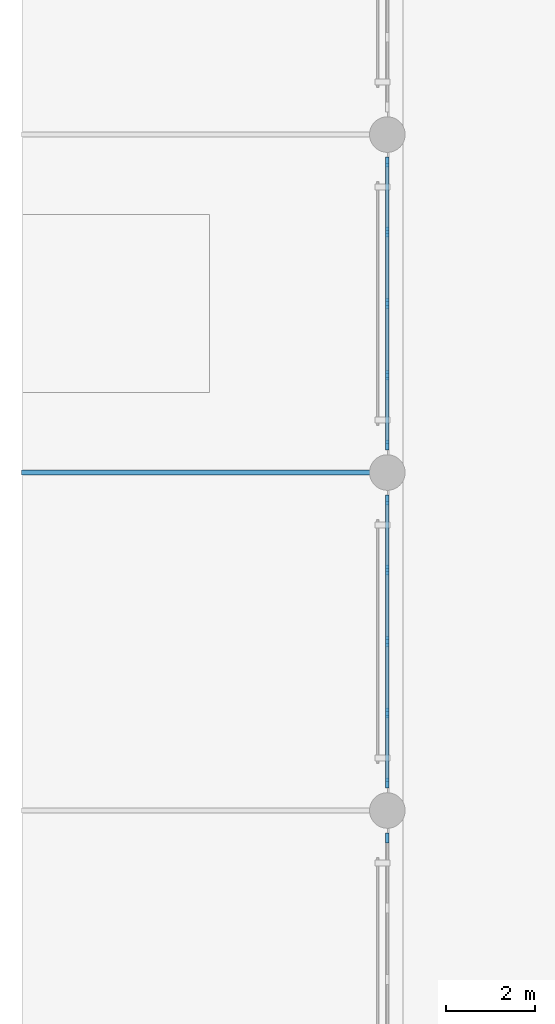
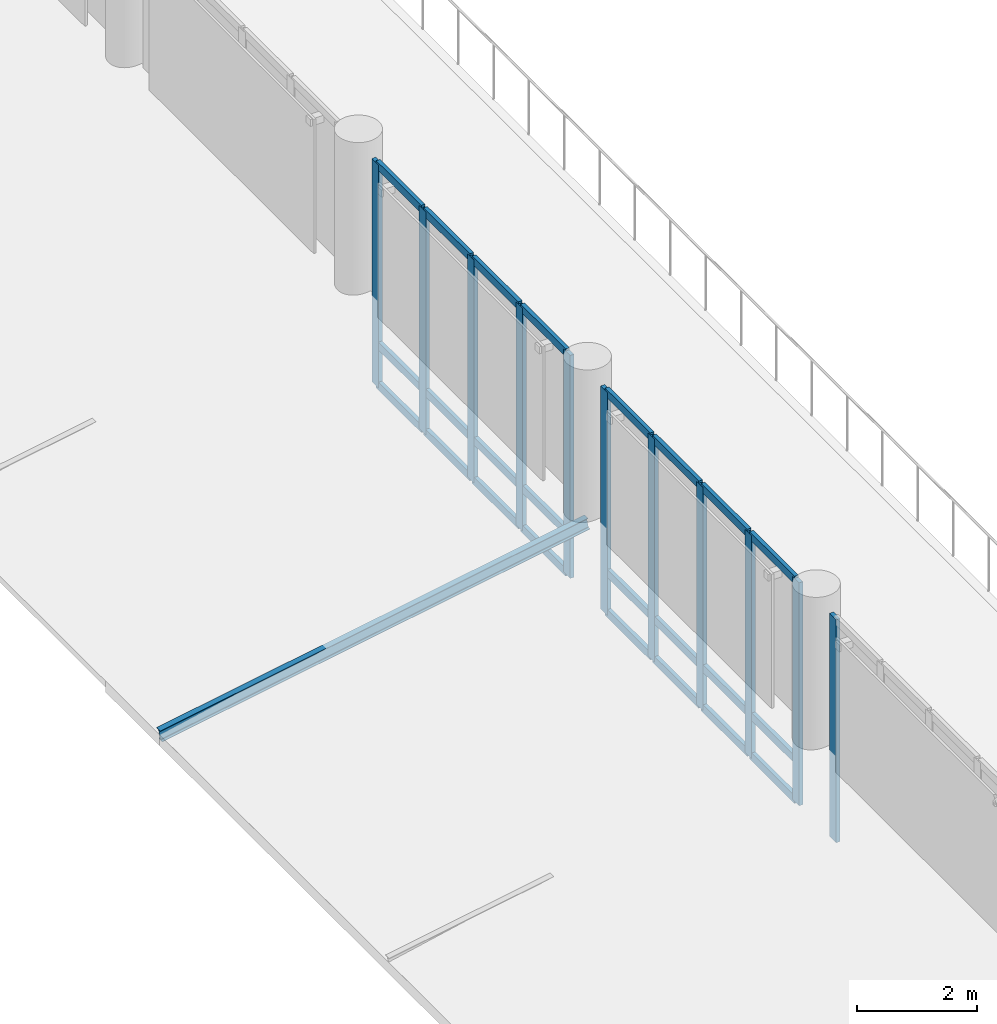
# One storey, part 6 of 57: 36 members, 3 elements without a shape of their own.
"""IFC4 building model written with IfcOpenShell, lengths in metres."""

from ifc_helpers import new_model, si_unit, direction, frame, origin, origin_2d, place, context, subcontext, project, spatial, rectangle, i_section, extrude, material, material_profile, profile_set, type_object, element, aggregate, save


model = new_model("IFC4")

# Units and contexts
model_context = context("Model", 3, precision=1e-05, world=origin(), true_north=direction((0.0, 1.0)))
body_context = subcontext(model_context, "Body", "Model", "MODEL_VIEW")
ifc_project = project(units=[si_unit("LENGTHUNIT", "METRE"), si_unit("AREAUNIT", "SQUARE_METRE"), si_unit("VOLUMEUNIT", "CUBIC_METRE"), si_unit("PLANEANGLEUNIT", "RADIAN"), si_unit("MASSUNIT", "GRAM", prefix="KILO")], contexts=[model_context])

# Site, building, storey
site_placement = place(None, origin())
site = spatial("IfcSite", under=ifc_project, at=site_placement, CompositionType="ELEMENT")
building_placement = place(site_placement, origin())
building = spatial("IfcBuilding", under=site, at=building_placement, Name="Qandaris Square Conservatory and Botanical Centre", CompositionType="ELEMENT")
storey_placement = place(building_placement, frame((0.0, 0.0, 5.39990234375)))
storey = spatial("IfcBuildingStorey", under=building, at=storey_placement, Name="L01", CompositionType="ELEMENT", Elevation=5.39990234375)

# Member
ifc_material_1 = material(Name="Steel S355", Category="steel")
ifc_material_profile_1 = material_profile(ifc_material_1, i_section(OverallWidth=0.1201171875, OverallDepth=0.239990234375, WebThickness=0.006103515625, FlangeThickness=0.009765625, FilletRadius=0.014892578125, at=origin_2d()), Name="IPE 240")
ifc_profile_set_1 = profile_set([ifc_material_profile_1], Name="Steel S355")
member_type_1 = type_object("IfcMemberType", Name="Colonnade Prairie Rafter IPE 240", PredefinedType="RAFTER", material=ifc_profile_set_1)
member_1_placement = place(storey_placement, frame((8.0, 69.800048828125, 0.0), z_axis=(0.984924346364, 0.0, 0.172985640849), x_axis=(0.0, 1.0, 0.0)))
element("IfcMember", 1, at=member_1_placement, inside=storey, type_object=member_type_1, Name="Colonnade West Rafter 048", PredefinedType="RAFTER", context=body_context, shape_type="SweptSolid", body=[
    extrude(i_section(OverallWidth=0.1201171875, OverallDepth=0.239990234375, WebThickness=0.006103515625, FlangeThickness=0.009765625, FilletRadius=0.014892578125, at=origin_2d()), origin(), (0.0, 0.0, 1.0), 8.325439453125),
])

# Curtain wall, members
ifc_material_2 = material(Name="Anodised Aluminium", Category="aluminium")
curtain_wall_type = type_object("IfcCurtainWallType", Name="Unitised Curtain Wall CW-1-644x452", PredefinedType="USERDEFINED", material=ifc_material_2)
curtain_wall_1_placement = place(storey_placement, origin())
curtain_wall_1 = element("IfcCurtainWall", 2, at=curtain_wall_1_placement, inside=storey, type_object=curtain_wall_type, Name="Curtain Wall CW-CON-L01-7-5", ObjectType="GLAZED CURTAIN WALL", PredefinedType="USERDEFINED")
ifc_material_profile_2 = material_profile(ifc_material_2, rectangle(XDim=0.074951171875, YDim=0.219970703125, at=origin_2d()), Name="ALU-MUL 75x220")
ifc_profile_set_2 = profile_set([ifc_material_profile_2], Name="Anodised Aluminium")
member_type_2 = type_object("IfcMemberType", Name="Conservatory Heavy Mullion 75x220", PredefinedType="MULLION", material=ifc_profile_set_2)
member_2_placement = place(storey_placement, frame((16.199951171875, 76.782470703125, 0.0), z_axis=(0.0, 0.0, 1.0), x_axis=(1.0, 0.0, 0.0)))
member_2 = element("IfcMember", 3, at=member_2_placement, type_object=member_type_2, Name="CW-1-644x452 mullion 1", PredefinedType="MULLION", context=body_context, shape_type="SweptSolid", body=[
    extrude(rectangle(XDim=0.074951171875, YDim=0.219970703125, at=origin_2d()), origin(), (0.0, 0.0, 1.0), 4.52001953125),
])
member_3_placement = place(storey_placement, frame((16.199951171875, 75.2099609375, 0.0), z_axis=(0.0, 0.0, 1.0), x_axis=(1.0, 0.0, 0.0)))
member_3 = element("IfcMember", 4, at=member_3_placement, type_object=member_type_2, Name="CW-1-644x452 mullion 2", PredefinedType="MULLION", context=body_context, shape_type="SweptSolid", body=[
    extrude(rectangle(XDim=0.074951171875, YDim=0.219970703125, at=origin_2d()), origin(), (0.0, 0.0, 1.0), 4.52001953125),
])
member_4_placement = place(storey_placement, frame((16.199951171875, 73.60009765625, 0.0), z_axis=(0.0, 0.0, 1.0), x_axis=(1.0, 0.0, 0.0)))
member_4 = element("IfcMember", 5, at=member_4_placement, type_object=member_type_2, Name="CW-1-644x452 mullion 3", PredefinedType="MULLION", context=body_context, shape_type="SweptSolid", body=[
    extrude(rectangle(XDim=0.074951171875, YDim=0.219970703125, at=origin_2d()), origin(), (0.0, 0.0, 1.0), 4.52001953125),
])
member_5_placement = place(storey_placement, frame((16.199951171875, 71.989990234375, 0.0), z_axis=(0.0, 0.0, 1.0), x_axis=(1.0, 0.0, 0.0)))
member_5 = element("IfcMember", 6, at=member_5_placement, type_object=member_type_2, Name="CW-1-644x452 mullion 4", PredefinedType="MULLION", context=body_context, shape_type="SweptSolid", body=[
    extrude(rectangle(XDim=0.074951171875, YDim=0.219970703125, at=origin_2d()), origin(), (0.0, 0.0, 1.0), 4.52001953125),
])
member_6_placement = place(storey_placement, frame((16.199951171875, 70.41748046875, 0.0), z_axis=(0.0, 0.0, 1.0), x_axis=(1.0, 0.0, 0.0)))
member_6 = element("IfcMember", 7, at=member_6_placement, type_object=member_type_2, Name="CW-1-644x452 mullion 5", PredefinedType="MULLION", context=body_context, shape_type="SweptSolid", body=[
    extrude(rectangle(XDim=0.074951171875, YDim=0.219970703125, at=origin_2d()), origin(), (0.0, 0.0, 1.0), 4.52001953125),
])

curtain_wall_2_placement = place(storey_placement, origin())
curtain_wall_2 = element("IfcCurtainWall", 8, at=curtain_wall_2_placement, inside=storey, type_object=curtain_wall_type, Name="Curtain Wall CW-CON-L01-7-6", ObjectType="GLAZED CURTAIN WALL", PredefinedType="USERDEFINED")
member_7_placement = place(storey_placement, frame((16.199951171875, 69.1826171875, 0.0), z_axis=(0.0, 0.0, 1.0), x_axis=(1.0, 0.0, 0.0)))
member_7 = element("IfcMember", 9, at=member_7_placement, type_object=member_type_2, Name="CW-1-644x452 mullion 1", PredefinedType="MULLION", context=body_context, shape_type="SweptSolid", body=[
    extrude(rectangle(XDim=0.074951171875, YDim=0.219970703125, at=origin_2d()), origin(), (0.0, 0.0, 1.0), 4.52001953125),
])
member_8_placement = place(storey_placement, frame((16.199951171875, 67.610107421875, 0.0), z_axis=(0.0, 0.0, 1.0), x_axis=(1.0, 0.0, 0.0)))
member_8 = element("IfcMember", 10, at=member_8_placement, type_object=member_type_2, Name="CW-1-644x452 mullion 2", PredefinedType="MULLION", context=body_context, shape_type="SweptSolid", body=[
    extrude(rectangle(XDim=0.074951171875, YDim=0.219970703125, at=origin_2d()), origin(), (0.0, 0.0, 1.0), 4.52001953125),
])
member_9_placement = place(storey_placement, frame((16.199951171875, 66.0, 0.0), z_axis=(0.0, 0.0, 1.0), x_axis=(1.0, 0.0, 0.0)))
member_9 = element("IfcMember", 11, at=member_9_placement, type_object=member_type_2, Name="CW-1-644x452 mullion 3", PredefinedType="MULLION", context=body_context, shape_type="SweptSolid", body=[
    extrude(rectangle(XDim=0.074951171875, YDim=0.219970703125, at=origin_2d()), origin(), (0.0, 0.0, 1.0), 4.52001953125),
])
member_10_placement = place(storey_placement, frame((16.199951171875, 64.389892578125, 0.0), z_axis=(0.0, 0.0, 1.0), x_axis=(1.0, 0.0, 0.0)))
member_10 = element("IfcMember", 12, at=member_10_placement, type_object=member_type_2, Name="CW-1-644x452 mullion 4", PredefinedType="MULLION", context=body_context, shape_type="SweptSolid", body=[
    extrude(rectangle(XDim=0.074951171875, YDim=0.219970703125, at=origin_2d()), origin(), (0.0, 0.0, 1.0), 4.52001953125),
])
member_11_placement = place(storey_placement, frame((16.199951171875, 62.8173828125, 0.0), z_axis=(0.0, 0.0, 1.0), x_axis=(1.0, 0.0, 0.0)))
member_11 = element("IfcMember", 13, at=member_11_placement, type_object=member_type_2, Name="CW-1-644x452 mullion 5", PredefinedType="MULLION", context=body_context, shape_type="SweptSolid", body=[
    extrude(rectangle(XDim=0.074951171875, YDim=0.219970703125, at=origin_2d()), origin(), (0.0, 0.0, 1.0), 4.52001953125),
])

# Curtain wall, member
curtain_wall_3_placement = place(storey_placement, origin())
curtain_wall_3 = element("IfcCurtainWall", 14, at=curtain_wall_3_placement, inside=storey, type_object=curtain_wall_type, Name="Curtain Wall CW-CON-L01-7-7", ObjectType="GLAZED CURTAIN WALL", PredefinedType="USERDEFINED")
member_12_placement = place(storey_placement, frame((16.199951171875, 61.58251953125, 0.0), z_axis=(0.0, 0.0, 1.0), x_axis=(1.0, 0.0, 0.0)))
member_12 = element("IfcMember", 15, at=member_12_placement, type_object=member_type_2, Name="CW-1-644x452 mullion 1", PredefinedType="MULLION", context=body_context, shape_type="SweptSolid", body=[
    extrude(rectangle(XDim=0.074951171875, YDim=0.219970703125, at=origin_2d()), origin(), (0.0, 0.0, 1.0), 4.52001953125),
])
aggregate(curtain_wall_3, [member_12])

# Member
ifc_material_profile_3 = material_profile(ifc_material_2, rectangle(XDim=0.074951171875, YDim=0.159912109375, at=origin_2d()), Name="ALU-TRN 75x160")
ifc_profile_set_3 = profile_set([ifc_material_profile_3], Name="Anodised Aluminium")
member_type_3 = type_object("IfcMemberType", Name="Conservatory Heavy Transom 75x160", PredefinedType="USERDEFINED", material=ifc_profile_set_3)
member_13_placement = place(storey_placement, frame((16.199951171875, 76.7451171875, 0.03759765625), z_axis=(0.0, -1.0, 0.0), x_axis=(1.0, 0.0, 0.0)))
member_13 = element("IfcMember", 16, at=member_13_placement, type_object=member_type_3, Name="CW-1-644x452 transom 1.1", ObjectType="TRANSOM", PredefinedType="USERDEFINED", context=body_context, shape_type="SweptSolid", body=[
    extrude(rectangle(XDim=0.074951171875, YDim=0.159912109375, at=origin_2d()), origin(), (0.0, 0.0, 1.0), 1.49755859375),
])

member_14_placement = place(storey_placement, frame((16.199951171875, 76.7451171875, 0.85009765625), z_axis=(0.0, -1.0, 0.0), x_axis=(1.0, 0.0, 0.0)))
member_14 = element("IfcMember", 17, at=member_14_placement, type_object=member_type_3, Name="CW-1-644x452 transom 1.2", ObjectType="TRANSOM", PredefinedType="USERDEFINED", context=body_context, shape_type="SweptSolid", body=[
    extrude(rectangle(XDim=0.074951171875, YDim=0.159912109375, at=origin_2d()), origin(), (0.0, 0.0, 1.0), 1.49755859375),
])

member_15_placement = place(storey_placement, frame((16.199951171875, 76.7451171875, 4.482666015625), z_axis=(0.0, -1.0, 0.0), x_axis=(1.0, 0.0, 0.0)))
member_15 = element("IfcMember", 18, at=member_15_placement, type_object=member_type_3, Name="CW-1-644x452 transom 1.3", ObjectType="TRANSOM", PredefinedType="USERDEFINED", context=body_context, shape_type="SweptSolid", body=[
    extrude(rectangle(XDim=0.074951171875, YDim=0.159912109375, at=origin_2d()), origin(), (0.0, 0.0, 1.0), 1.49755859375),
])

member_16_placement = place(storey_placement, frame((16.199951171875, 75.172607421875, 0.03759765625), z_axis=(0.0, -1.0, 0.0), x_axis=(1.0, 0.0, 0.0)))
member_16 = element("IfcMember", 19, at=member_16_placement, type_object=member_type_3, Name="CW-1-644x452 transom 2.1", ObjectType="TRANSOM", PredefinedType="USERDEFINED", context=body_context, shape_type="SweptSolid", body=[
    extrude(rectangle(XDim=0.074951171875, YDim=0.159912109375, at=origin_2d()), origin(), (0.0, 0.0, 1.0), 1.53515625),
])

member_17_placement = place(storey_placement, frame((16.199951171875, 75.172607421875, 0.85009765625), z_axis=(0.0, -1.0, 0.0), x_axis=(1.0, 0.0, 0.0)))
member_17 = element("IfcMember", 20, at=member_17_placement, type_object=member_type_3, Name="CW-1-644x452 transom 2.2", ObjectType="TRANSOM", PredefinedType="USERDEFINED", context=body_context, shape_type="SweptSolid", body=[
    extrude(rectangle(XDim=0.074951171875, YDim=0.159912109375, at=origin_2d()), origin(), (0.0, 0.0, 1.0), 1.53515625),
])

member_18_placement = place(storey_placement, frame((16.199951171875, 75.172607421875, 4.482666015625), z_axis=(0.0, -1.0, 0.0), x_axis=(1.0, 0.0, 0.0)))
member_18 = element("IfcMember", 21, at=member_18_placement, type_object=member_type_3, Name="CW-1-644x452 transom 2.3", ObjectType="TRANSOM", PredefinedType="USERDEFINED", context=body_context, shape_type="SweptSolid", body=[
    extrude(rectangle(XDim=0.074951171875, YDim=0.159912109375, at=origin_2d()), origin(), (0.0, 0.0, 1.0), 1.53515625),
])

member_19_placement = place(storey_placement, frame((16.199951171875, 73.5625, 0.03759765625), z_axis=(0.0, -1.0, 0.0), x_axis=(1.0, 0.0, 0.0)))
member_19 = element("IfcMember", 22, at=member_19_placement, type_object=member_type_3, Name="CW-1-644x452 transom 3.1", ObjectType="TRANSOM", PredefinedType="USERDEFINED", context=body_context, shape_type="SweptSolid", body=[
    extrude(rectangle(XDim=0.074951171875, YDim=0.159912109375, at=origin_2d()), origin(), (0.0, 0.0, 1.0), 1.534912109375),
])

member_20_placement = place(storey_placement, frame((16.199951171875, 73.5625, 0.85009765625), z_axis=(0.0, -1.0, 0.0), x_axis=(1.0, 0.0, 0.0)))
member_20 = element("IfcMember", 23, at=member_20_placement, type_object=member_type_3, Name="CW-1-644x452 transom 3.2", ObjectType="TRANSOM", PredefinedType="USERDEFINED", context=body_context, shape_type="SweptSolid", body=[
    extrude(rectangle(XDim=0.074951171875, YDim=0.159912109375, at=origin_2d()), origin(), (0.0, 0.0, 1.0), 1.534912109375),
])

member_21_placement = place(storey_placement, frame((16.199951171875, 73.5625, 4.482666015625), z_axis=(0.0, -1.0, 0.0), x_axis=(1.0, 0.0, 0.0)))
member_21 = element("IfcMember", 24, at=member_21_placement, type_object=member_type_3, Name="CW-1-644x452 transom 3.3", ObjectType="TRANSOM", PredefinedType="USERDEFINED", context=body_context, shape_type="SweptSolid", body=[
    extrude(rectangle(XDim=0.074951171875, YDim=0.159912109375, at=origin_2d()), origin(), (0.0, 0.0, 1.0), 1.534912109375),
])

member_22_placement = place(storey_placement, frame((16.199951171875, 71.952392578125, 0.03759765625), z_axis=(0.0, -1.0, 0.0), x_axis=(1.0, 0.0, 0.0)))
member_22 = element("IfcMember", 25, at=member_22_placement, type_object=member_type_3, Name="CW-1-644x452 transom 4.1", ObjectType="TRANSOM", PredefinedType="USERDEFINED", context=body_context, shape_type="SweptSolid", body=[
    extrude(rectangle(XDim=0.074951171875, YDim=0.159912109375, at=origin_2d()), origin(), (0.0, 0.0, 1.0), 1.497314453125),
])

member_23_placement = place(storey_placement, frame((16.199951171875, 71.952392578125, 0.85009765625), z_axis=(0.0, -1.0, 0.0), x_axis=(1.0, 0.0, 0.0)))
member_23 = element("IfcMember", 26, at=member_23_placement, type_object=member_type_3, Name="CW-1-644x452 transom 4.2", ObjectType="TRANSOM", PredefinedType="USERDEFINED", context=body_context, shape_type="SweptSolid", body=[
    extrude(rectangle(XDim=0.074951171875, YDim=0.159912109375, at=origin_2d()), origin(), (0.0, 0.0, 1.0), 1.497314453125),
])

member_24_placement = place(storey_placement, frame((16.199951171875, 71.952392578125, 4.482666015625), z_axis=(0.0, -1.0, 0.0), x_axis=(1.0, 0.0, 0.0)))
member_24 = element("IfcMember", 27, at=member_24_placement, type_object=member_type_3, Name="CW-1-644x452 transom 4.3", ObjectType="TRANSOM", PredefinedType="USERDEFINED", context=body_context, shape_type="SweptSolid", body=[
    extrude(rectangle(XDim=0.074951171875, YDim=0.159912109375, at=origin_2d()), origin(), (0.0, 0.0, 1.0), 1.497314453125),
])

aggregate(curtain_wall_1, [member_2, member_3, member_4, member_5, member_6, member_13, member_14, member_15, member_16, member_17, member_18, member_19, member_20, member_21, member_22, member_23, member_24])

member_25_placement = place(storey_placement, frame((16.199951171875, 69.14501953125, 0.03759765625), z_axis=(0.0, -1.0, 0.0), x_axis=(1.0, 0.0, 0.0)))
member_25 = element("IfcMember", 28, at=member_25_placement, type_object=member_type_3, Name="CW-1-644x452 transom 1.1", ObjectType="TRANSOM", PredefinedType="USERDEFINED", context=body_context, shape_type="SweptSolid", body=[
    extrude(rectangle(XDim=0.074951171875, YDim=0.159912109375, at=origin_2d()), origin(), (0.0, 0.0, 1.0), 1.49755859375),
])

member_26_placement = place(storey_placement, frame((16.199951171875, 69.14501953125, 0.85009765625), z_axis=(0.0, -1.0, 0.0), x_axis=(1.0, 0.0, 0.0)))
member_26 = element("IfcMember", 29, at=member_26_placement, type_object=member_type_3, Name="CW-1-644x452 transom 1.2", ObjectType="TRANSOM", PredefinedType="USERDEFINED", context=body_context, shape_type="SweptSolid", body=[
    extrude(rectangle(XDim=0.074951171875, YDim=0.159912109375, at=origin_2d()), origin(), (0.0, 0.0, 1.0), 1.49755859375),
])

member_27_placement = place(storey_placement, frame((16.199951171875, 69.14501953125, 4.482666015625), z_axis=(0.0, -1.0, 0.0), x_axis=(1.0, 0.0, 0.0)))
member_27 = element("IfcMember", 30, at=member_27_placement, type_object=member_type_3, Name="CW-1-644x452 transom 1.3", ObjectType="TRANSOM", PredefinedType="USERDEFINED", context=body_context, shape_type="SweptSolid", body=[
    extrude(rectangle(XDim=0.074951171875, YDim=0.159912109375, at=origin_2d()), origin(), (0.0, 0.0, 1.0), 1.49755859375),
])

member_28_placement = place(storey_placement, frame((16.199951171875, 67.572509765625, 0.03759765625), z_axis=(0.0, -1.0, 0.0), x_axis=(1.0, 0.0, 0.0)))
member_28 = element("IfcMember", 31, at=member_28_placement, type_object=member_type_3, Name="CW-1-644x452 transom 2.1", ObjectType="TRANSOM", PredefinedType="USERDEFINED", context=body_context, shape_type="SweptSolid", body=[
    extrude(rectangle(XDim=0.074951171875, YDim=0.159912109375, at=origin_2d()), origin(), (0.0, 0.0, 1.0), 1.534912109375),
])

member_29_placement = place(storey_placement, frame((16.199951171875, 67.572509765625, 0.85009765625), z_axis=(0.0, -1.0, 0.0), x_axis=(1.0, 0.0, 0.0)))
member_29 = element("IfcMember", 32, at=member_29_placement, type_object=member_type_3, Name="CW-1-644x452 transom 2.2", ObjectType="TRANSOM", PredefinedType="USERDEFINED", context=body_context, shape_type="SweptSolid", body=[
    extrude(rectangle(XDim=0.074951171875, YDim=0.159912109375, at=origin_2d()), origin(), (0.0, 0.0, 1.0), 1.534912109375),
])

member_30_placement = place(storey_placement, frame((16.199951171875, 67.572509765625, 4.482666015625), z_axis=(0.0, -1.0, 0.0), x_axis=(1.0, 0.0, 0.0)))
member_30 = element("IfcMember", 33, at=member_30_placement, type_object=member_type_3, Name="CW-1-644x452 transom 2.3", ObjectType="TRANSOM", PredefinedType="USERDEFINED", context=body_context, shape_type="SweptSolid", body=[
    extrude(rectangle(XDim=0.074951171875, YDim=0.159912109375, at=origin_2d()), origin(), (0.0, 0.0, 1.0), 1.534912109375),
])

member_31_placement = place(storey_placement, frame((16.199951171875, 65.96240234375, 0.03759765625), z_axis=(0.0, -1.0, 0.0), x_axis=(1.0, 0.0, 0.0)))
member_31 = element("IfcMember", 34, at=member_31_placement, type_object=member_type_3, Name="CW-1-644x452 transom 3.1", ObjectType="TRANSOM", PredefinedType="USERDEFINED", context=body_context, shape_type="SweptSolid", body=[
    extrude(rectangle(XDim=0.074951171875, YDim=0.159912109375, at=origin_2d()), origin(), (0.0, 0.0, 1.0), 1.534912109375),
])

member_32_placement = place(storey_placement, frame((16.199951171875, 65.96240234375, 0.85009765625), z_axis=(0.0, -1.0, 0.0), x_axis=(1.0, 0.0, 0.0)))
member_32 = element("IfcMember", 35, at=member_32_placement, type_object=member_type_3, Name="CW-1-644x452 transom 3.2", ObjectType="TRANSOM", PredefinedType="USERDEFINED", context=body_context, shape_type="SweptSolid", body=[
    extrude(rectangle(XDim=0.074951171875, YDim=0.159912109375, at=origin_2d()), origin(), (0.0, 0.0, 1.0), 1.534912109375),
])

member_33_placement = place(storey_placement, frame((16.199951171875, 65.96240234375, 4.482666015625), z_axis=(0.0, -1.0, 0.0), x_axis=(1.0, 0.0, 0.0)))
member_33 = element("IfcMember", 36, at=member_33_placement, type_object=member_type_3, Name="CW-1-644x452 transom 3.3", ObjectType="TRANSOM", PredefinedType="USERDEFINED", context=body_context, shape_type="SweptSolid", body=[
    extrude(rectangle(XDim=0.074951171875, YDim=0.159912109375, at=origin_2d()), origin(), (0.0, 0.0, 1.0), 1.534912109375),
])

member_34_placement = place(storey_placement, frame((16.199951171875, 64.3525390625, 0.03759765625), z_axis=(0.0, -1.0, 0.0), x_axis=(1.0, 0.0, 0.0)))
member_34 = element("IfcMember", 37, at=member_34_placement, type_object=member_type_3, Name="CW-1-644x452 transom 4.1", ObjectType="TRANSOM", PredefinedType="USERDEFINED", context=body_context, shape_type="SweptSolid", body=[
    extrude(rectangle(XDim=0.074951171875, YDim=0.159912109375, at=origin_2d()), origin(), (0.0, 0.0, 1.0), 1.49755859375),
])

member_35_placement = place(storey_placement, frame((16.199951171875, 64.3525390625, 0.85009765625), z_axis=(0.0, -1.0, 0.0), x_axis=(1.0, 0.0, 0.0)))
member_35 = element("IfcMember", 38, at=member_35_placement, type_object=member_type_3, Name="CW-1-644x452 transom 4.2", ObjectType="TRANSOM", PredefinedType="USERDEFINED", context=body_context, shape_type="SweptSolid", body=[
    extrude(rectangle(XDim=0.074951171875, YDim=0.159912109375, at=origin_2d()), origin(), (0.0, 0.0, 1.0), 1.49755859375),
])

member_36_placement = place(storey_placement, frame((16.199951171875, 64.3525390625, 4.482666015625), z_axis=(0.0, -1.0, 0.0), x_axis=(1.0, 0.0, 0.0)))
member_36 = element("IfcMember", 39, at=member_36_placement, type_object=member_type_3, Name="CW-1-644x452 transom 4.3", ObjectType="TRANSOM", PredefinedType="USERDEFINED", context=body_context, shape_type="SweptSolid", body=[
    extrude(rectangle(XDim=0.074951171875, YDim=0.159912109375, at=origin_2d()), origin(), (0.0, 0.0, 1.0), 1.49755859375),
])

aggregate(curtain_wall_2, [member_7, member_8, member_9, member_10, member_11, member_25, member_26, member_27, member_28, member_29, member_30, member_31, member_32, member_33, member_34, member_35, member_36])

save(model, "model.ifc")
